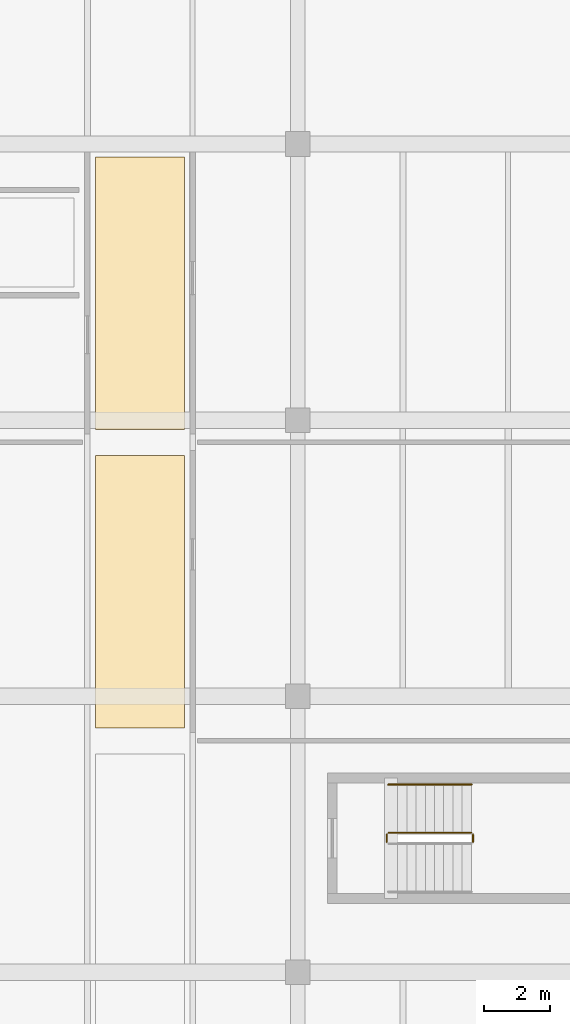
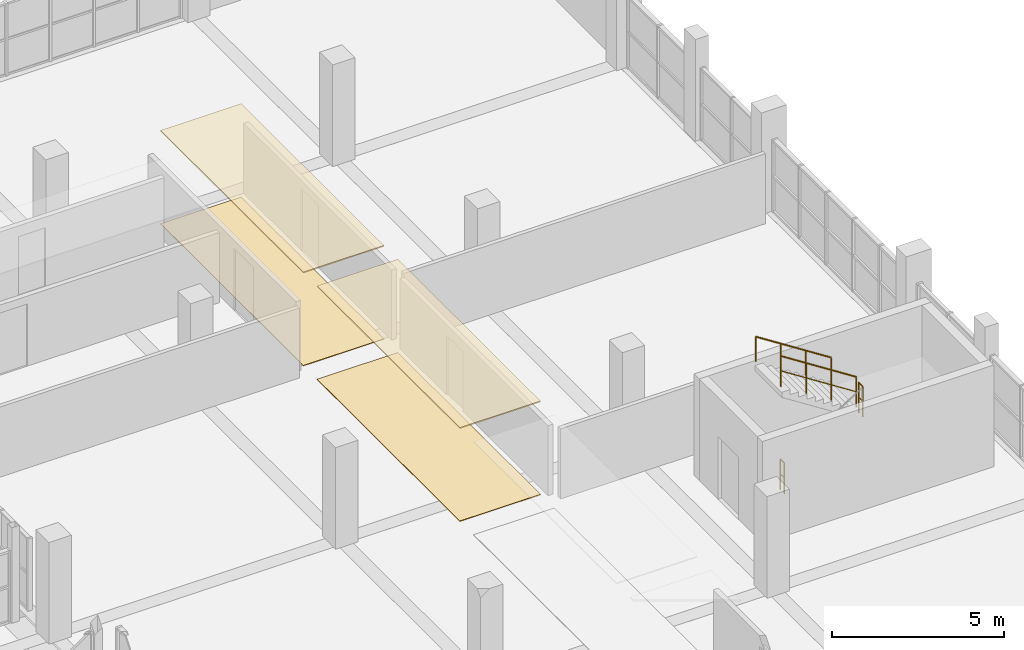
# One storey, part 143 of 147: 4 coverings, 4 railings.
"""IFC4 building model written with IfcOpenShell, lengths in metres."""

import ifcopenshell
import ifcopenshell.guid

model = None  # the IFC model being written
_history = None  # IfcOwnerHistory: only IFC2X3 demands one
_inside = {}  # id of a spatial element -> (the spatial element, [elements in it])
_under = {}  # id of a project, library or spatial element -> (it, [spatial elements below it])
_declared = {}  # id of a project -> (the project, [libraries it declares])
_typed = {}  # id of a type object -> (the type object, [elements of that type])
_made_of = {}  # id of a material, layer set ... -> (it, [elements and type objects made of it])


def new_model(schema):
    """Start an empty IFC model of exactly this schema.

    Asked for "IFC4X3", IfcOpenShell would pick the latest addendum, in which some entities
    have other attributes; the version numbers below select the first issue.
    IFC2X3 requires an IfcOwnerHistory on every rooted entity: one is made here for all.
    """
    global model, _history
    if schema == "IFC4X3":
        model = ifcopenshell.file(schema_version=(4, 3, 0, 0))
    else:
        model = ifcopenshell.file(schema=schema)
    _inside.clear()
    _under.clear()
    _declared.clear()
    _typed.clear()
    _made_of.clear()
    _history = None
    if model.schema == "IFC2X3":
        org = make("IfcOrganization", Name="unknown")
        user = make(
            "IfcPersonAndOrganization",
            ThePerson=make("IfcPerson", FamilyName="unknown"),
            TheOrganization=org,
        )
        app = make(
            "IfcApplication",
            ApplicationDeveloper=org,
            Version="unknown",
            ApplicationFullName="unknown",
            ApplicationIdentifier="unknown",
        )
        _history = make(
            "IfcOwnerHistory",
            OwningUser=user,
            OwningApplication=app,
            ChangeAction="ADDED",
            CreationDate=0,
        )
    return model


def make(cls, **values):
    """One entity of the class cls with the attributes given. An attribute that is None is left unset."""
    return model.create_entity(
        cls, **{name: value for name, value in values.items() if value is not None}
    )


def rooted(cls, **values):
    """An entity with a GlobalId (a new one), such as an element, a storey or a relation."""
    return make(cls, GlobalId=ifcopenshell.guid.new(), OwnerHistory=_history, **values)


def si_unit(unit_type, name, prefix=None):
    """IfcSIUnit, for example si_unit("LENGTHUNIT", "METRE", prefix="MILLI")."""
    return make("IfcSIUnit", UnitType=unit_type, Prefix=prefix, Name=name)


def assignment(units):
    """IfcUnitAssignment: the units of a project."""
    return None if units is None else make("IfcUnitAssignment", Units=units)


def point(xyz):
    """IfcCartesianPoint."""
    return None if xyz is None else make("IfcCartesianPoint", Coordinates=xyz)


def direction(xyz):
    """IfcDirection."""
    return None if xyz is None else make("IfcDirection", DirectionRatios=xyz)


def frame(location, z_axis=None, x_axis=None):
    """IfcAxis2Placement3D, a coordinate frame: its origin and axes. An axis left out is left unset."""
    return make(
        "IfcAxis2Placement3D",
        Location=point(location),
        Axis=direction(z_axis),
        RefDirection=direction(x_axis),
    )


def frame_2d(location, x_axis=None):
    """IfcAxis2Placement2D, a coordinate frame in the plane: its origin and x axis."""
    return make(
        "IfcAxis2Placement2D", Location=point(location), RefDirection=direction(x_axis)
    )


def origin():
    """The frame at (0, 0, 0) with its axes left unset."""
    return frame((0.0, 0.0, 0.0))


def origin_2d():
    """The frame at (0, 0) in the plane with its x axis left unset."""
    return frame_2d((0.0, 0.0))


def place(relative_to, where):
    """IfcLocalPlacement: puts the frame where relative to a parent placement (None: the world)."""
    return make(
        "IfcLocalPlacement", PlacementRelTo=relative_to, RelativePlacement=where
    )


def context(
    kind, dimensions, precision=None, world=None, true_north=None, identifier=None
):
    """IfcGeometricRepresentationContext, for example the 3D "Model" context."""
    return make(
        "IfcGeometricRepresentationContext",
        ContextIdentifier=identifier,
        ContextType=kind,
        CoordinateSpaceDimension=dimensions,
        Precision=precision,
        WorldCoordinateSystem=world,
        TrueNorth=true_north,
    )


def subcontext(parent, identifier, kind, view, scale=None):
    """IfcGeometricRepresentationSubContext, for example "Body" below "Model"."""
    return make(
        "IfcGeometricRepresentationSubContext",
        ContextIdentifier=identifier,
        ContextType=kind,
        ParentContext=parent,
        TargetScale=scale,
        TargetView=view,
    )


def project(units=None, contexts=None):
    """IfcProject with its units and contexts."""
    return rooted(
        "IfcProject",
        Name="project",
        RepresentationContexts=contexts,
        UnitsInContext=assignment(units),
    )


def spatial(cls, under=None, at=None, **own):
    """A site, building, storey or space (cls), placed at a placement, below another one or the project."""
    s = rooted(cls, ObjectPlacement=at, **own)
    if under is not None:
        _under.setdefault(under.id(), (under, []))[1].append(s)
    return s


def polyline(points):
    """IfcPolyline through the points."""
    return make("IfcPolyline", Points=[point(p) for p in points])


def profile(cls, at=None, kind="AREA", **sizes):
    """A parametric profile (cls). Its sizes go by their IFC names, for example OverallWidth=200.0."""
    return make(cls, ProfileType=kind, Position=at, **sizes)


def circle(**sizes):
    """IfcCircleProfileDef."""
    return profile("IfcCircleProfileDef", **sizes)


def outline(outer, holes=None, kind="AREA"):
    """IfcArbitraryClosedProfileDef: a profile drawn as a closed curve; with holes, ...WithVoids."""
    if holes is None:
        return make("IfcArbitraryClosedProfileDef", ProfileType=kind, OuterCurve=outer)
    return make(
        "IfcArbitraryProfileDefWithVoids",
        ProfileType=kind,
        OuterCurve=outer,
        InnerCurves=holes,
    )


def extrude(swept, where, along, depth):
    """IfcExtrudedAreaSolid: the profile swept, set in the frame where, extruded along a direction by depth."""
    return make(
        "IfcExtrudedAreaSolid",
        SweptArea=swept,
        Position=where,
        ExtrudedDirection=direction(along),
        Depth=depth,
    )


def shape(context_of_items, identifier, shape_type, items):
    """IfcShapeRepresentation: the items that make up one representation, for example the "Body"."""
    return make(
        "IfcShapeRepresentation",
        ContextOfItems=context_of_items,
        RepresentationIdentifier=identifier,
        RepresentationType=shape_type,
        Items=items,
    )


def material(Name=None, Category=None):
    """IfcMaterial."""
    return make("IfcMaterial", Name=Name, Category=Category)


def layer(
    of_material, thickness, ventilated=None, Name=None, Category=None, Priority=None
):
    """IfcMaterialLayer: one layer of a wall or slab, of a material (None: an air gap)."""
    return make(
        "IfcMaterialLayer",
        Material=of_material,
        LayerThickness=thickness,
        IsVentilated=ventilated,
        Name=Name,
        Category=Category,
        Priority=Priority,
    )


def layer_set(layers, Name=None):
    """IfcMaterialLayerSet."""
    return make("IfcMaterialLayerSet", MaterialLayers=layers, LayerSetName=Name)


def made_of(thing, what):
    """Note that an element or type object is made of a material, layer set ...; save() writes the relation."""
    if what is not None:
        _made_of.setdefault(what.id(), (what, []))[1].append(thing)
    return thing


def type_object(cls, material=None, **own):
    """A type object (cls), such as IfcWallType, which elements share."""
    return made_of(rooted(cls, **own), material)


def element(
    cls,
    number,
    at=None,
    inside=None,
    cuts=None,
    type_object=None,
    material=None,
    context=None,
    identifier="Body",
    shape_type=None,
    held_by="IfcProductDefinitionShape",
    body=None,
    shapes=None,
    **own,
):
    """One element of the class cls, such as IfcWall. Its Tag is "e" and its number.

    at: its placement. inside: the storey or other place that contains it. cuts: it is an
    opening in that element (IfcRelVoidsElement). A single representation is given by context,
    identifier, shape_type and body (its items); several are given by shapes. held_by: the class
    of the entity that holds the representations. save() writes the other relations.
    """
    e = rooted(cls, Tag="e%d" % number, ObjectPlacement=at, **own)
    if body is not None:
        shapes = [shape(context, identifier, shape_type, body)]
    if shapes is not None:
        e.Representation = make(held_by, Representations=shapes)
    if inside is not None:
        _inside.setdefault(inside.id(), (inside, []))[1].append(e)
    if cuts is not None:
        rooted(
            "IfcRelVoidsElement", RelatingBuildingElement=cuts, RelatedOpeningElement=e
        )
    if type_object is not None:
        _typed.setdefault(type_object.id(), (type_object, []))[1].append(e)
    return made_of(e, material)


def aggregate(whole, parts):
    """IfcRelAggregates: a whole, such as a stair, and the parts it consists of."""
    return rooted("IfcRelAggregates", RelatingObject=whole, RelatedObjects=parts)


def save(model, path):
    """Write the relations noted so far, then the file.

    IfcRelAggregates (storeys below a building ...), IfcRelContainedInSpatialStructure (elements
    in a storey), IfcRelDefinesByType, IfcRelAssociatesMaterial and IfcRelDeclares: one each for
    every whole, place, type object, material and project.
    """
    for whole, parts in _under.values():
        aggregate(whole, parts)
    for where, things in _inside.values():
        rooted(
            "IfcRelContainedInSpatialStructure",
            RelatedElements=things,
            RelatingStructure=where,
        )
    for kind, things in _typed.values():
        rooted("IfcRelDefinesByType", RelatedObjects=things, RelatingType=kind)
    for what, things in _made_of.values():
        rooted("IfcRelAssociatesMaterial", RelatedObjects=things, RelatingMaterial=what)
    for by, libraries in _declared.values():
        rooted("IfcRelDeclares", RelatingContext=by, RelatedDefinitions=libraries)
    model.write(path)


model = new_model("IFC4")

# Units and contexts
model_context = context("Model", 3, precision=1e-05, world=origin(), true_north=direction((0.0, 1.0)))
body_context = subcontext(model_context, "Body", "Model", "MODEL_VIEW")
ifc_project = project(units=[si_unit("LENGTHUNIT", "METRE"), si_unit("AREAUNIT", "SQUARE_METRE"), si_unit("VOLUMEUNIT", "CUBIC_METRE"), si_unit("PLANEANGLEUNIT", "RADIAN"), si_unit("MASSUNIT", "GRAM", prefix="KILO")], contexts=[model_context])

# Site, building, storey
site_placement = place(None, origin())
site = spatial("IfcSite", under=ifc_project, at=site_placement, CompositionType="ELEMENT")
building_placement = place(site_placement, origin())
building = spatial("IfcBuilding", under=site, at=building_placement, Name="Oolite Switchyard Hospital", CompositionType="ELEMENT")
storey_placement = place(building_placement, frame((0.0, 0.0, 9.89990234375)))
storey = spatial("IfcBuildingStorey", under=building, at=storey_placement, Name="L02", CompositionType="ELEMENT", Elevation=9.89990234375)

# Coverings
ifc_material_1 = material(Name="Hygienic washable mineral-fibre acoustic ceiling")
ifc_layer_1 = layer(ifc_material_1, 0.0400390625)
ifc_layer_set_1 = layer_set([ifc_layer_1], Name="COV-CEIL-AC60")
covering_type_1 = type_object("IfcCoveringType", Name="COV-CEIL-AC60", PredefinedType="CEILING", material=ifc_layer_set_1)
covering_1_placement = place(storey_placement, frame((0.0, 0.0, 3.28515625)))
element("IfcCovering", 1, at=covering_1_placement, inside=storey, type_object=covering_type_1, Name="L02 Outpatient Endocrinology Corridor L02 Ceiling 4", PredefinedType="CEILING", context=body_context, shape_type="SweptSolid", body=[
    extrude(outline(polyline([(195.449951171875, 49.43994140625), (198.14990234375, 49.43994140625), (198.14990234375, 57.719970703125), (195.449951171875, 57.719970703125), (195.449951171875, 49.43994140625)])), origin(), (0.0, 0.0, 1.0), 0.0400390625),
])
covering_2_placement = place(storey_placement, frame((0.0, 0.0, 3.28515625)))
element("IfcCovering", 2, at=covering_2_placement, inside=storey, type_object=covering_type_1, Name="L02 Outpatient Endocrinology Corridor L02 Ceiling 5", PredefinedType="CEILING", context=body_context, shape_type="SweptSolid", body=[
    extrude(outline(polyline([(195.449951171875, 58.52001953125), (198.14990234375, 58.52001953125), (198.14990234375, 66.800048828125), (195.449951171875, 66.800048828125), (195.449951171875, 58.52001953125)])), origin(), (0.0, 0.0, 1.0), 0.0400390625),
])
ifc_material_2 = material(Name="Epoxy terrazzo seamless clinical flooring")
ifc_layer_2 = layer(ifc_material_2, 0.02001953125)
ifc_layer_set_2 = layer_set([ifc_layer_2], Name="COV-FLR-TER20")
covering_type_2 = type_object("IfcCoveringType", Name="COV-FLR-TER20", PredefinedType="FLOORING", material=ifc_layer_set_2)
covering_3_placement = place(storey_placement, origin())
element("IfcCovering", 3, at=covering_3_placement, inside=storey, type_object=covering_type_2, Name="L02 Outpatient Endocrinology Corridor L02 Flooring 4", PredefinedType="FLOORING", context=body_context, shape_type="SweptSolid", body=[
    extrude(outline(polyline([(195.449951171875, 49.43994140625), (198.14990234375, 49.43994140625), (198.14990234375, 57.719970703125), (195.449951171875, 57.719970703125), (195.449951171875, 49.43994140625)])), origin(), (0.0, 0.0, 1.0), 0.02001953125),
])
covering_4_placement = place(storey_placement, origin())
element("IfcCovering", 4, at=covering_4_placement, inside=storey, type_object=covering_type_2, Name="L02 Outpatient Endocrinology Corridor L02 Flooring 5", PredefinedType="FLOORING", context=body_context, shape_type="SweptSolid", body=[
    extrude(outline(polyline([(195.449951171875, 58.52001953125), (198.14990234375, 58.52001953125), (198.14990234375, 66.800048828125), (195.449951171875, 66.800048828125), (195.449951171875, 58.52001953125)])), origin(), (0.0, 0.0, 1.0), 0.02001953125),
])

# Railings
ifc_material_3 = material(Name="Galvanized painted architectural steel handrail", Category="steel")
railing_type_1 = type_object("IfcRailingType", Name="RL-STAIR-GRD", PredefinedType="GUARDRAIL", material=ifc_material_3)
railing_1_placement = place(storey_placement, frame((206.929931640625, 45.9599609375, 1.800048828125)))
element("IfcRailing", 5, at=railing_1_placement, inside=storey, type_object=railing_type_1, Name="L02 ST-06 stair guard 2", PredefinedType="GUARDRAIL", context=body_context, shape_type="SweptSolid", body=[
    extrude(circle(Radius=0.02392578125, at=origin_2d()), frame((0.0, 0.0, 1.076171875), z_axis=(0.0, 1.0, 0.0), x_axis=(-1.0, 0.0, 0.0)), (0.0, 0.0, 1.0), 0.239990234375),
    extrude(circle(Radius=0.015625, at=origin_2d()), frame((0.0, 0.0, 0.550048828125), z_axis=(0.0, 1.0, 0.0), x_axis=(-1.0, 0.0, 0.0)), (0.0, 0.0, 1.0), 0.239990234375),
    extrude(circle(Radius=0.02099609375, at=origin_2d()), origin(), (0.0, 0.0, 1.0), 1.052001953125),
    extrude(circle(Radius=0.02099609375, at=origin_2d()), frame((0.0, 0.239990234375, 0.0)), (0.0, 0.0, 1.0), 1.052001953125),
])
railing_2_placement = place(storey_placement, frame((206.8798828125, 46.25, 1.97998046875)))
element("IfcRailing", 6, at=railing_2_placement, inside=storey, type_object=railing_type_1, Name="L02 ST-06 stair guard 3", PredefinedType="GUARDRAIL", context=body_context, shape_type="SweptSolid", body=[
    extrude(circle(Radius=0.02392578125, at=origin_2d()), frame((0.0, 0.0, 1.076171875), z_axis=(-0.841138753965, 0.0, 0.540819375188), x_axis=(0.0, -1.0, 0.0)), (0.0, 0.0, 1.0), 2.99560546875),
    extrude(circle(Radius=0.015625, at=origin_2d()), frame((0.0, 0.0, 0.550048828125), z_axis=(-0.841138753965, 0.0, 0.540819375188), x_axis=(0.0, -1.0, 0.0)), (0.0, 0.0, 1.0), 2.99560546875),
    extrude(circle(Radius=0.02099609375, at=origin_2d()), origin(), (0.0, 0.0, 1.0), 1.052001953125),
    extrude(circle(Radius=0.02099609375, at=origin_2d()), frame((-0.83984375, 0.0, 0.5400390625)), (0.0, 0.0, 1.0), 1.052001953125),
    extrude(circle(Radius=0.02099609375, at=origin_2d()), frame((-1.679931640625, 0.0, 1.080078125)), (0.0, 0.0, 1.0), 1.052001953125),
    extrude(circle(Radius=0.02099609375, at=origin_2d()), frame((-2.519775390625, 0.0, 1.6201171875)), (0.0, 0.0, 1.0), 1.052001953125),
])
railing_3_placement = place(storey_placement, frame((204.31005859375, 45.9599609375, 0.0)))
element("IfcRailing", 7, at=railing_3_placement, inside=storey, type_object=railing_type_1, Name="L02 ST-06 stair guard 4", PredefinedType="GUARDRAIL", context=body_context, shape_type="SweptSolid", body=[
    extrude(circle(Radius=0.02392578125, at=origin_2d()), frame((0.0, 0.0, 1.076171875), z_axis=(0.0, 1.0, 0.0), x_axis=(-1.0, 0.0, 0.0)), (0.0, 0.0, 1.0), 0.239990234375),
    extrude(circle(Radius=0.015625, at=origin_2d()), frame((0.0, 0.0, 0.550048828125), z_axis=(0.0, 1.0, 0.0), x_axis=(-1.0, 0.0, 0.0)), (0.0, 0.0, 1.0), 0.239990234375),
    extrude(circle(Radius=0.02099609375, at=origin_2d()), origin(), (0.0, 0.0, 1.0), 1.052001953125),
    extrude(circle(Radius=0.02099609375, at=origin_2d()), frame((0.0, 0.239990234375, 0.0)), (0.0, 0.0, 1.0), 1.052001953125),
])
railing_type_2 = type_object("IfcRailingType", Name="RL-STAIR-HND", PredefinedType="HANDRAIL", material=ifc_material_3)
railing_4_placement = place(storey_placement, frame((206.8798828125, 47.7099609375, 1.97998046875)))
element("IfcRailing", 8, at=railing_4_placement, inside=storey, type_object=railing_type_2, Name="L02 ST-06 stair handrail 2", PredefinedType="HANDRAIL", context=body_context, shape_type="SweptSolid", body=[
    extrude(circle(Radius=0.02392578125, at=origin_2d()), frame((0.0, 0.0, 0.8759765625), z_axis=(-0.841138753965, 0.0, 0.540819375188), x_axis=(0.0, -1.0, 0.0)), (0.0, 0.0, 1.0), 2.99560546875),
    extrude(circle(Radius=0.02099609375, at=origin_2d()), origin(), (0.0, 0.0, 1.0), 0.851806640625),
    extrude(circle(Radius=0.02099609375, at=origin_2d()), frame((-0.83984375, 0.0, 0.5400390625)), (0.0, 0.0, 1.0), 0.851806640625),
    extrude(circle(Radius=0.02099609375, at=origin_2d()), frame((-1.679931640625, 0.0, 1.080078125)), (0.0, 0.0, 1.0), 0.851806640625),
    extrude(circle(Radius=0.02099609375, at=origin_2d()), frame((-2.519775390625, 0.0, 1.6201171875)), (0.0, 0.0, 1.0), 0.851806640625),
])

save(model, "model.ifc")
